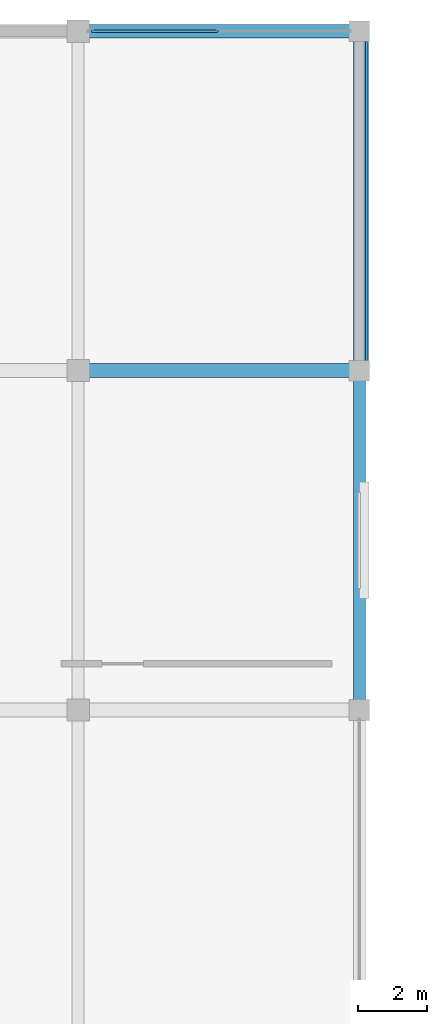
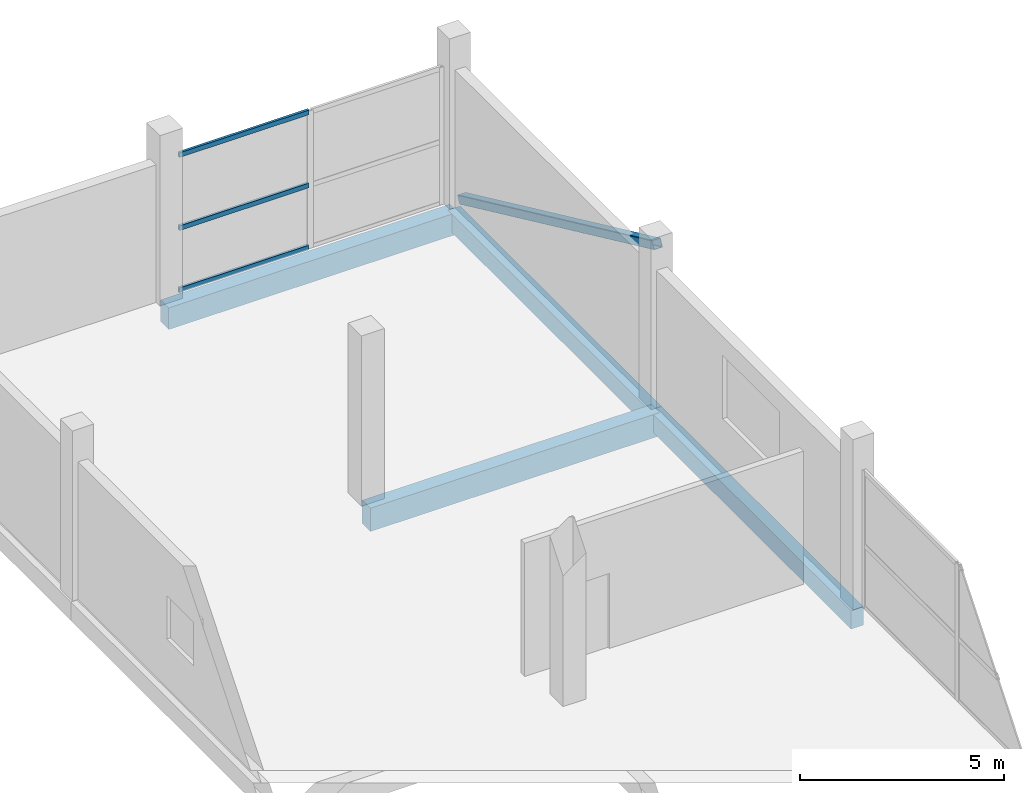
# One storey, part 45 of 66: 4 beams, 4 members, 1 element without a shape of its own.
"""IFC4 building model written with IfcOpenShell, lengths in metres."""

from ifc_helpers import new_model, si_unit, direction, frame, origin, origin_2d, place, context, subcontext, project, spatial, rectangle, hollow_rectangle, extrude, material, layer, layer_set, material_profile, profile_set, type_object, element, aggregate, save


model = new_model("IFC4")

# Units and contexts
model_context = context("Model", 3, precision=1e-05, world=origin(), true_north=direction((0.0, 1.0)))
body_context = subcontext(model_context, "Body", "Model", "MODEL_VIEW")
ifc_project = project(units=[si_unit("LENGTHUNIT", "METRE"), si_unit("AREAUNIT", "SQUARE_METRE"), si_unit("VOLUMEUNIT", "CUBIC_METRE"), si_unit("PLANEANGLEUNIT", "RADIAN"), si_unit("MASSUNIT", "GRAM", prefix="KILO")], contexts=[model_context])

# Site, building, storey
site_placement = place(None, origin())
site = spatial("IfcSite", under=ifc_project, at=site_placement, CompositionType="ELEMENT")
building_placement = place(site_placement, origin())
building = spatial("IfcBuilding", under=site, at=building_placement, Name="Sillaruma Civic Art Gallery", CompositionType="ELEMENT")
storey_placement = place(building_placement, frame((0.0, 0.0, 57.1201171875)))
storey = spatial("IfcBuildingStorey", under=building, at=storey_placement, Name="L11", CompositionType="ELEMENT", Elevation=57.1201171875)

# Beams
ifc_material_1 = material(Name="Concrete H35 (35 MPa)", Category="concrete")
ifc_material_profile_1 = material_profile(ifc_material_1, rectangle(XDim=0.39990234375, YDim=0.699951171875, at=origin_2d()), Name="RCB400x700")
ifc_profile_set_1 = profile_set([ifc_material_profile_1], Name="Concrete H35 (35 MPa)")
beam_type_1 = type_object("IfcBeamType", Name="BM-BEAM-RCB400x700", PredefinedType="BEAM", material=ifc_profile_set_1)
beam_1_placement = place(storey_placement, frame((106.199951171875, 89.10009765625, -0.60009765625), z_axis=(1.0, 0.0, 0.0), x_axis=(0.0, 1.0, 0.0)))
element("IfcBeam", 1, at=beam_1_placement, inside=storey, type_object=beam_type_1, Name="Beam BM-04 (L10:10:M-N)", PredefinedType="BEAM", context=body_context, shape_type="SweptSolid", body=[
    extrude(rectangle(XDim=0.39990234375, YDim=0.699951171875, at=origin_2d()), origin(), (0.0, 0.0, 1.0), 8.199951171875),
])
ifc_material_profile_2 = material_profile(ifc_material_1, rectangle(XDim=0.35009765625, YDim=0.550048828125, at=origin_2d()), Name="RCB350x550")
ifc_profile_set_2 = profile_set([ifc_material_profile_2], Name="Concrete H35 (35 MPa)")
beam_type_2 = type_object("IfcBeamType", Name="BM-SPANDREL-RCB350x550", PredefinedType="SPANDREL", material=ifc_profile_set_2)
beam_2_placement = place(storey_placement, frame((114.39990234375, 79.199951171875, -0.525146484375), z_axis=(0.0, 1.0, 0.0), x_axis=(-1.0, 0.0, 0.0)))
element("IfcBeam", 2, at=beam_2_placement, inside=storey, type_object=beam_type_2, Name="Beam BS-04 (L10:N:9-10)", PredefinedType="SPANDREL", context=body_context, shape_type="SweptSolid", body=[
    extrude(rectangle(XDim=0.35009765625, YDim=0.550048828125, at=origin_2d()), origin(), (0.0, 0.0, 1.0), 9.900146484375),
])
beam_3_placement = place(storey_placement, frame((114.39990234375, 89.10009765625, -0.525146484375), z_axis=(0.0, 1.0, 0.0), x_axis=(-1.0, 0.0, 0.0)))
element("IfcBeam", 3, at=beam_3_placement, inside=storey, type_object=beam_type_2, Name="Beam BS-04 (L10:N:10-11)", PredefinedType="SPANDREL", context=body_context, shape_type="SweptSolid", body=[
    extrude(rectangle(XDim=0.35009765625, YDim=0.550048828125, at=origin_2d()), origin(), (0.0, 0.0, 1.0), 9.89990234375),
])
ifc_material_profile_3 = material_profile(ifc_material_1, rectangle(XDim=0.39990234375, YDim=0.64990234375, at=origin_2d()), Name="RCB400x650")
ifc_profile_set_3 = profile_set([ifc_material_profile_3], Name="Concrete H35 (35 MPa)")
beam_type_3 = type_object("IfcBeamType", Name="BM-SPANDREL-RCB400x650", PredefinedType="SPANDREL", material=ifc_profile_set_3)
beam_4_placement = place(storey_placement, frame((106.199951171875, 99.0, -0.5751953125), z_axis=(1.0, 0.0, 0.0), x_axis=(0.0, 1.0, 0.0)))
element("IfcBeam", 4, at=beam_4_placement, inside=storey, type_object=beam_type_3, Name="Beam BS-02 (L10:11:M-N)", PredefinedType="SPANDREL", context=body_context, shape_type="SweptSolid", body=[
    extrude(rectangle(XDim=0.39990234375, YDim=0.64990234375, at=origin_2d()), origin(), (0.0, 0.0, 1.0), 8.199951171875),
])

# Member
ifc_material_2 = material(Name="Structural Steel ASTM A500 Gr.C", Category="steel")
ifc_material_profile_4 = material_profile(ifc_material_2, hollow_rectangle(XDim=0.25, YDim=0.25, WallThickness=0.012451171875, InnerFilletRadius=0.012451171875, OuterFilletRadius=0.02490234375, at=origin_2d()), Name="HSS250x250x12.5")
ifc_profile_set_4 = profile_set([ifc_material_profile_4], Name="Structural Steel ASTM A500 Gr.C")
member_type_1 = type_object("IfcMemberType", Name="MEM-MEGA-BRACE", PredefinedType="BRACE", material=ifc_profile_set_4)
member_1_placement = place(storey_placement, frame((114.550048828125, 98.820068359375, 0.099853515625), z_axis=(0.0, -0.907349492377, 0.420377091053), x_axis=(1.0, 0.0, 0.0)))
element("IfcMember", 5, at=member_1_placement, inside=storey, type_object=member_type_1, Name="Exterior Expressed Gallery Seismic Diagonal Brace (L11-EN)", PredefinedType="BRACE", context=body_context, shape_type="SweptSolid", body=[
    extrude(hollow_rectangle(XDim=0.25, YDim=0.25, WallThickness=0.012451171875, InnerFilletRadius=0.012451171875, OuterFilletRadius=0.02490234375, at=origin_2d()), origin(), (0.0, 0.0, 1.0), 10.51416015625),
])

# Curtain wall, members
ifc_material_3 = material(Name="Thermally Broken Extruded Aluminium 6063-T6", Category="aluminium")
ifc_layer = layer(ifc_material_3, 0.179931640625, Name="Thermally Broken Extruded Aluminium 6063-T6")
ifc_layer_set = layer_set([ifc_layer], Name="Thermally Broken Extruded Aluminium 6063-T6")
curtain_wall_type = type_object("IfcCurtainWallType", Name="CW-UNI-87", PredefinedType="NOTDEFINED", material=ifc_layer_set)
curtain_wall_placement = place(storey_placement, origin())
curtain_wall = element("IfcCurtainWall", 6, at=curtain_wall_placement, inside=storey, type_object=curtain_wall_type, Name="Unitised Curtain Wall CW-87 (CW-L11-EBN-2)", PredefinedType="NOTDEFINED")
ifc_material_profile_5 = material_profile(ifc_material_3, hollow_rectangle(XDim=0.070068359375, YDim=0.139892578125, WallThickness=0.00390625, at=origin_2d()), Name="CWT70x140")
ifc_profile_set_5 = profile_set([ifc_material_profile_5], Name="Thermally Broken Extruded Aluminium 6063-T6")
member_type_2 = type_object("IfcMemberType", Name="MEM-TRN-CWT70x140", PredefinedType="USERDEFINED", material=ifc_profile_set_5)
member_2_placement = place(storey_placement, frame((106.594970703125, 99.0, 0.034912109375), z_axis=(1.0, 0.0, 0.0), x_axis=(0.0, 1.0, 0.0)))
member_2 = element("IfcMember", 7, at=member_2_placement, type_object=member_type_2, Name="CW-87 transom 1.1", ObjectType="TRANSOM", PredefinedType="USERDEFINED", context=body_context, shape_type="SweptSolid", body=[
    extrude(hollow_rectangle(XDim=0.070068359375, YDim=0.139892578125, WallThickness=0.00390625, at=origin_2d()), origin(), (0.0, 0.0, 1.0), 3.6826171875),
])
member_3_placement = place(storey_placement, frame((106.594970703125, 99.0, 1.89501953125), z_axis=(1.0, 0.0, 0.0), x_axis=(0.0, 1.0, 0.0)))
member_3 = element("IfcMember", 8, at=member_3_placement, type_object=member_type_2, Name="CW-87 transom 1.2", ObjectType="TRANSOM", PredefinedType="USERDEFINED", context=body_context, shape_type="SweptSolid", body=[
    extrude(hollow_rectangle(XDim=0.070068359375, YDim=0.139892578125, WallThickness=0.00390625, at=origin_2d()), origin(), (0.0, 0.0, 1.0), 3.6826171875),
])
member_4_placement = place(storey_placement, frame((106.594970703125, 99.0, 4.0849609375), z_axis=(1.0, 0.0, 0.0), x_axis=(0.0, 1.0, 0.0)))
member_4 = element("IfcMember", 9, at=member_4_placement, type_object=member_type_2, Name="CW-87 transom 1.3", ObjectType="TRANSOM", PredefinedType="USERDEFINED", context=body_context, shape_type="SweptSolid", body=[
    extrude(hollow_rectangle(XDim=0.070068359375, YDim=0.139892578125, WallThickness=0.00390625, at=origin_2d()), origin(), (0.0, 0.0, 1.0), 3.6826171875),
])
aggregate(curtain_wall, [member_2, member_3, member_4])

save(model, "model.ifc")
